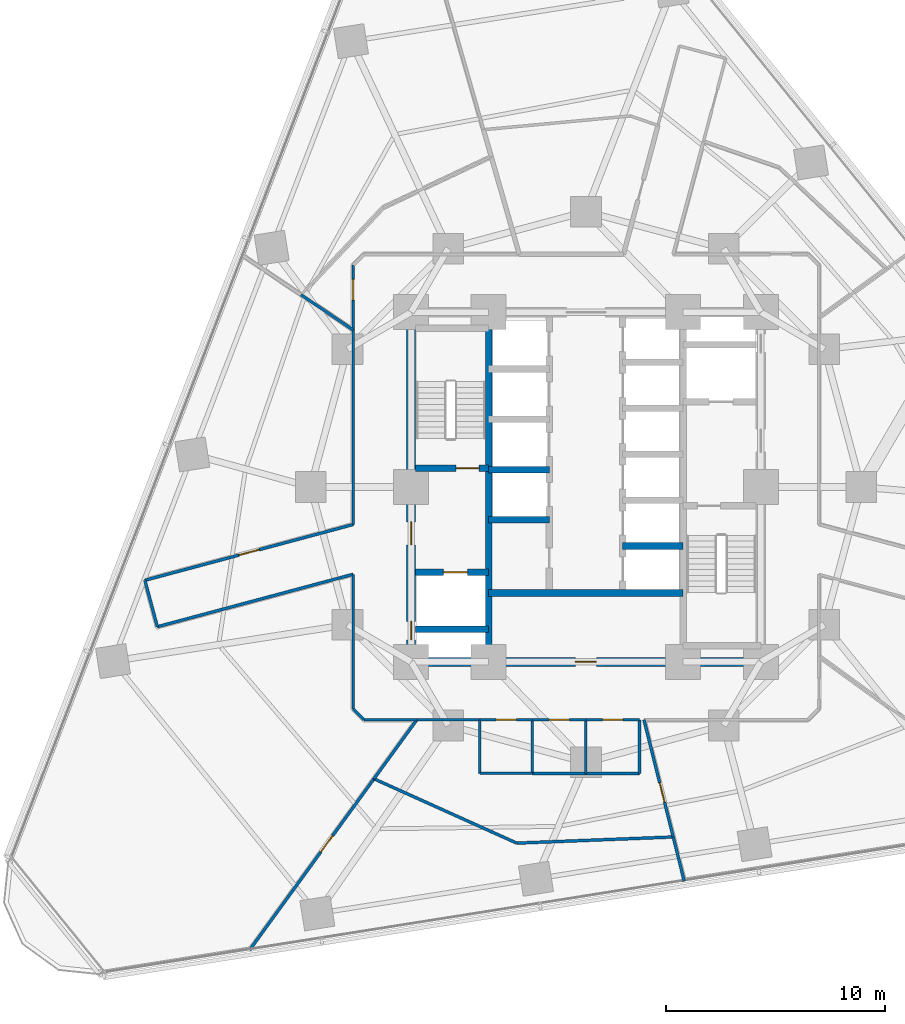
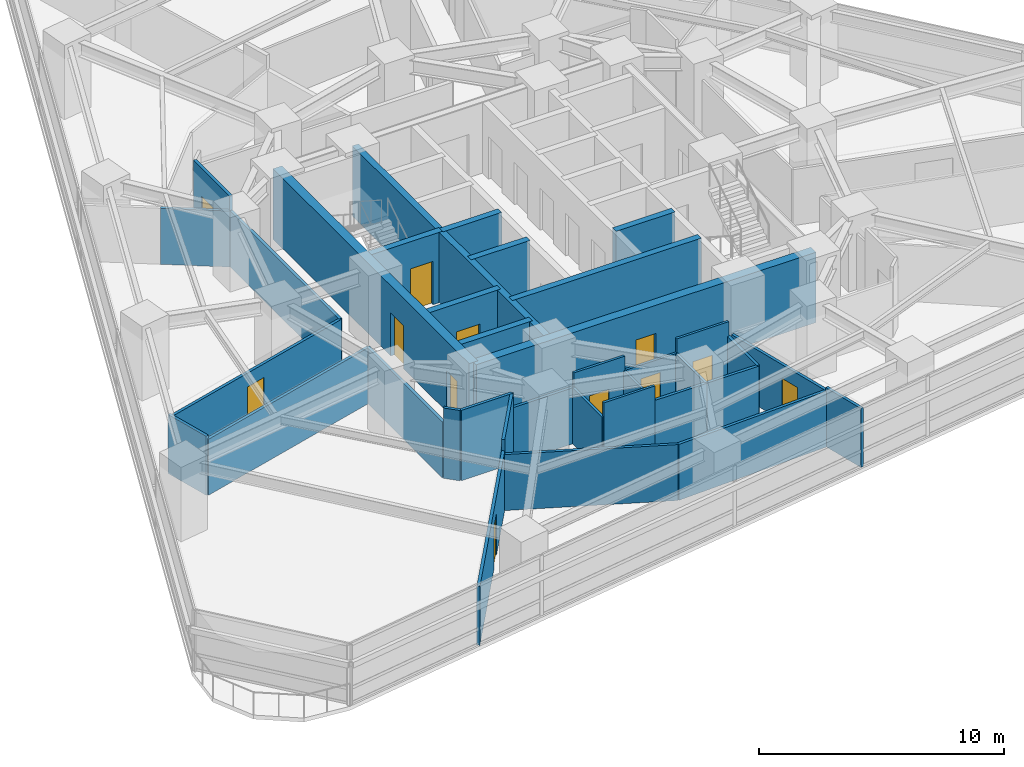
# One storey, part 7 of 13: 36 walls, 12 doors, 12 openings.
"""IFC4 building model written with IfcOpenShell, lengths in metres."""

from ifc_helpers import new_model, si_unit, direction, frame, frame_2d, origin, place, context, subcontext, project, spatial, rectangle, extrude, material, layer, layer_set, type_object, element, fill, save


model = new_model("IFC4")

# Units and contexts
model_context = context("Model", 3, precision=1e-05, world=origin(), true_north=direction((0.0, 1.0)))
body_context = subcontext(model_context, "Body", "Model", "MODEL_VIEW")
ifc_project = project(units=[si_unit("LENGTHUNIT", "METRE"), si_unit("AREAUNIT", "SQUARE_METRE"), si_unit("VOLUMEUNIT", "CUBIC_METRE"), si_unit("PLANEANGLEUNIT", "RADIAN"), si_unit("MASSUNIT", "GRAM", prefix="KILO")], contexts=[model_context])

# Site, building, storey
site_placement = place(None, origin())
site = spatial("IfcSite", under=ifc_project, at=site_placement, CompositionType="ELEMENT")
building_placement = place(site_placement, origin())
building = spatial("IfcBuilding", under=site, at=building_placement, Name="Terralouvre Media Tower", CompositionType="ELEMENT")
storey_placement = place(building_placement, frame((0.0, 0.0, 59.300048828125)))
storey = spatial("IfcBuildingStorey", under=building, at=storey_placement, Name="L14", CompositionType="ELEMENT", Elevation=59.300048828125)

# Wall
ifc_material_1 = material(Name="Concrete C50/60", Category="concrete")
ifc_layer_1 = layer(ifc_material_1, 0.300048828125, Name="Core Internal Shaft Wall CW-300")
ifc_layer_set_1 = layer_set([ifc_layer_1], Name="Concrete C50/60")
wall_type_1 = type_object("IfcWallType", Name="Core Internal Shaft Wall CW-300", PredefinedType="SHEAR", material=ifc_layer_set_1)
wall_1_placement = place(storey_placement, frame((-4.449951171875, -7.7900390625, 0.0), z_axis=(0.0, 0.0, 1.0), x_axis=(0.0, 1.0, 0.0)))
element("IfcWall", 1, at=wall_1_placement, inside=storey, type_object=wall_type_1, Name="L14 Core Shaft Wall SPW", PredefinedType="SHEAR", context=body_context, shape_type="SweptSolid", body=[
    extrude(rectangle(XDim=15.580078125, YDim=0.300048828125, at=frame_2d((7.7900390625, 0.0))), origin(), (0.0, 0.0, 1.0), 3.5),
])

# Wall, opening, door
wall_2_placement = place(storey_placement, frame((-7.7900390625, 0.85009765625, 0.0), z_axis=(0.0, 0.0, 1.0), x_axis=(1.0, 0.0, 0.0)))
wall_2 = element("IfcWall", 2, at=wall_2_placement, inside=storey, type_object=wall_type_1, Name="L14 Core Shaft Wall ST1D", PredefinedType="SHEAR", context=body_context, shape_type="SweptSolid", body=[
    extrude(rectangle(XDim=3.340087890625, YDim=0.300048828125, at=frame_2d((1.669921875, 0.0))), origin(), (0.0, 0.0, 1.0), 3.5),
])
opening_1_placement = place(wall_2_placement, frame((1.85009765625, 0.0, 0.0)))
opening_1 = element("IfcOpeningElement", 3, at=opening_1_placement, cuts=wall_2, Name="Opening FD-01-105X215", PredefinedType="OPENING", context=body_context, shape_type="SweptSolid", body=[
    extrude(rectangle(XDim=1.050048828125, YDim=2.14990234375, at=frame_2d((0.52490234375, 1.074951171875))), frame((0.0, 0.159912109375, 0.0), z_axis=(0.0, -1.0, 0.0), x_axis=(1.0, 0.0, 0.0)), (0.0, 0.0, 1.0), 0.320068359375),
])
ifc_material_2 = material(Name="Galvanised steel fire-resisting leaf", Category="steel")
door_type_1 = type_object("IfcDoorType", Name="Stair and Firefighting Lobby Fire Door FD-01 (1050x2150)", OperationType="NOTDEFINED", PredefinedType="DOOR", material=ifc_material_2)
door_1_placement = place(opening_1_placement, origin())
door_1 = element("IfcDoor", 4, at=door_1_placement, inside=storey, type_object=door_type_1, Name="L14 ST-01 Exit Stair Door", OperationType="SINGLE_SWING_LEFT", OverallHeight=2.14990234375, OverallWidth=1.050048828125, PredefinedType="DOOR", context=body_context, shape_type="SweptSolid", body=[
    extrude(rectangle(XDim=1.050048828125, YDim=2.14990234375, at=frame_2d((0.52490234375, 1.074951171875))), frame((0.0, 0.02490234375, 0.0), z_axis=(0.0, -1.0, 0.0), x_axis=(1.0, 0.0, 0.0)), (0.0, 0.0, 1.0), 0.050048828125),
])
fill(opening_1, door_1)

wall_3_placement = place(storey_placement, frame((-7.7900390625, -3.89990234375, 0.0), z_axis=(0.0, 0.0, 1.0), x_axis=(1.0, 0.0, 0.0)))
wall_3 = element("IfcWall", 5, at=wall_3_placement, inside=storey, type_object=wall_type_1, Name="L14 Core Shaft Wall FF1N", PredefinedType="SHEAR", context=body_context, shape_type="SweptSolid", body=[
    extrude(rectangle(XDim=3.340087890625, YDim=0.300048828125, at=frame_2d((1.669921875, 0.0))), origin(), (0.0, 0.0, 1.0), 3.5),
])
opening_2_placement = place(wall_3_placement, frame((1.27001953125, 0.0, 0.0)))
opening_2 = element("IfcOpeningElement", 6, at=opening_2_placement, cuts=wall_3, Name="Opening LD-FF", PredefinedType="OPENING", context=body_context, shape_type="SweptSolid", body=[
    extrude(rectangle(XDim=1.10009765625, YDim=2.10009765625, at=frame_2d((0.550048828125, 1.050048828125))), frame((0.0, 0.159912109375, 0.0), z_axis=(0.0, -1.0, 0.0), x_axis=(1.0, 0.0, 0.0)), (0.0, 0.0, 1.0), 0.320068359375),
])
ifc_material_3 = material(Name="Stainless steel 316 handrail and balustrade", Category="steel")
door_type_2 = type_object("IfcDoorType", Name="Firefighting Lift Sliding Landing Door LD-FF", OperationType="SLIDING_TO_LEFT", PredefinedType="DOOR", material=ifc_material_3)
door_2_placement = place(opening_2_placement, origin())
door_2 = element("IfcDoor", 7, at=door_2_placement, inside=storey, type_object=door_type_2, Name="L14 Firefighting Lift FFL-01 Landing Door", OperationType="SLIDING_TO_LEFT", OverallHeight=2.10009765625, OverallWidth=1.10009765625, PredefinedType="DOOR", context=body_context, shape_type="SweptSolid", body=[
    extrude(rectangle(XDim=1.10009765625, YDim=2.10009765625, at=frame_2d((0.550048828125, 1.050048828125))), frame((0.0, 0.02490234375, 0.0), z_axis=(0.0, -1.0, 0.0), x_axis=(1.0, 0.0, 0.0)), (0.0, 0.0, 1.0), 0.050048828125),
])
fill(opening_2, door_2)

# Walls
wall_4_placement = place(storey_placement, frame((-7.7900390625, -6.5, 0.0), z_axis=(0.0, 0.0, 1.0), x_axis=(1.0, 0.0, 0.0)))
element("IfcWall", 8, at=wall_4_placement, inside=storey, type_object=wall_type_1, Name="L14 Core Shaft Wall FF1S", PredefinedType="SHEAR", context=body_context, shape_type="SweptSolid", body=[
    extrude(rectangle(XDim=3.340087890625, YDim=0.300048828125, at=frame_2d((1.669921875, 0.0))), origin(), (0.0, 0.0, 1.0), 3.5),
])
wall_5_placement = place(storey_placement, frame((-4.449951171875, -4.85009765625, 0.0), z_axis=(0.0, 0.0, 1.0), x_axis=(1.0, 0.0, 0.0)))
element("IfcWall", 9, at=wall_5_placement, inside=storey, type_object=wall_type_1, Name="L14 Core Shaft Wall CSBN", PredefinedType="SHEAR", context=body_context, shape_type="SweptSolid", body=[
    extrude(rectangle(XDim=8.89990234375, YDim=0.300048828125, at=frame_2d((4.449951171875, 0.0))), origin(), (0.0, 0.0, 1.0), 3.5),
])
for number, where, z_axis, x_axis, name in (
    (10, (-4.449951171875, -1.5, 0.0), (0.0, 0.0, 1.0), (1.0, 0.0, 0.0), "L14 Core Shaft Wall PLLD0"),
    (11, (-4.449951171875, 0.800048828125, 0.0), (0.0, 0.0, 1.0), (1.0, 0.0, 0.0), "L14 Core Shaft Wall PLLD1"),
    (12, (1.679931640625, -2.699951171875, 0.0), (0.0, 0.0, 1.0), (1.0, 0.0, 0.0), "L14 Core Shaft Wall PLHD1"),
):
    element("IfcWall", number, at=place(storey_placement, frame(where, z_axis=z_axis, x_axis=x_axis)), inside=storey, type_object=wall_type_1, Name=name, PredefinedType="SHEAR", context=body_context, shape_type="SweptSolid", body=[
        extrude(rectangle(XDim=2.77001953125, YDim=0.300048828125, at=frame_2d((1.385009765625, 0.0))), origin(), (0.0, 0.0, 1.0), 3.5),
    ])

# Wall, openings, doors
ifc_material_4 = material(Name="Concrete C60/75", Category="concrete")
ifc_layer_2 = layer(ifc_material_4, 0.419921875, Name="Core Reinforced Concrete Shear Wall CW-420")
ifc_layer_set_2 = layer_set([ifc_layer_2], Name="Concrete C60/75")
wall_type_2 = type_object("IfcWallType", Name="Core Reinforced Concrete Shear Wall CW-420", PredefinedType="SHEAR", material=ifc_layer_set_2)
wall_6_placement = place(storey_placement, frame((-8.0, -8.0, 0.0), z_axis=(0.0, 0.0, 1.0), x_axis=(0.0, 1.0, 0.0)))
wall_6 = element("IfcWall", 13, at=wall_6_placement, inside=storey, type_object=wall_type_2, Name="L14 W Core Shear Wall", PredefinedType="SHEAR", context=body_context, shape_type="SweptSolid", body=[
    extrude(rectangle(XDim=16.0, YDim=0.419921875, at=frame_2d((8.0, 0.0))), origin(), (0.0, 0.0, 1.0), 3.5),
])
opening_3_placement = place(wall_6_placement, frame((1.001708984375, 0.0, 0.0)))
opening_3 = element("IfcOpeningElement", 14, at=opening_3_placement, cuts=wall_6, Name="Opening TD-R1", PredefinedType="OPENING", context=body_context, shape_type="SweptSolid", body=[
    extrude(rectangle(XDim=0.85009765625, YDim=2.02001953125, at=frame_2d((0.425048828125, 1.010009765625))), frame((0.0, 0.219970703125, 0.0), z_axis=(0.0, -1.0, 0.0), x_axis=(1.0, 0.0, 0.0)), (0.0, 0.0, 1.0), 0.43994140625),
])
opening_4_placement = place(wall_6_placement, frame((5.35009765625, 0.0, 0.0)))
opening_4 = element("IfcOpeningElement", 15, at=opening_4_placement, cuts=wall_6, Name="Opening FD-01-105X215", PredefinedType="OPENING", context=body_context, shape_type="SweptSolid", body=[
    extrude(rectangle(XDim=1.050048828125, YDim=2.14990234375, at=frame_2d((0.52490234375, 1.074951171875))), frame((0.0, 0.219970703125, 0.0), z_axis=(0.0, -1.0, 0.0), x_axis=(1.0, 0.0, 0.0)), (0.0, 0.0, 1.0), 0.43994140625),
])
ifc_material_5 = material(Name="Galvanised steel fire-resisting leaf", Category="steel")
door_type_3 = type_object("IfcDoorType", Name="Riser Inspection Access Trapdoor TD-R1", OperationType="NOTDEFINED", PredefinedType="TRAPDOOR", material=ifc_material_5)
door_3_placement = place(opening_3_placement, origin())
door_3 = element("IfcDoor", 16, at=door_3_placement, inside=storey, type_object=door_type_3, Name="L14 Wet Riser Access Trapdoor", OperationType="SINGLE_SWING_LEFT", OverallHeight=2.02001953125, OverallWidth=0.85009765625, PredefinedType="TRAPDOOR", context=body_context, shape_type="SweptSolid", body=[
    extrude(rectangle(XDim=0.85009765625, YDim=2.02001953125, at=frame_2d((0.425048828125, 1.010009765625))), frame((0.0, 0.02490234375, 0.0), z_axis=(0.0, -1.0, 0.0), x_axis=(1.0, 0.0, 0.0)), (0.0, 0.0, 1.0), 0.050048828125),
])
fill(opening_3, door_3)
door_4_placement = place(opening_4_placement, origin())
door_4 = element("IfcDoor", 17, at=door_4_placement, inside=storey, type_object=door_type_1, Name="L14 West Firefighting Lobby Entry Door", OperationType="SINGLE_SWING_RIGHT", OverallHeight=2.14990234375, OverallWidth=1.050048828125, PredefinedType="DOOR", context=body_context, shape_type="SweptSolid", body=[
    extrude(rectangle(XDim=1.050048828125, YDim=2.14990234375, at=frame_2d((0.52490234375, 1.074951171875))), frame((0.0, 0.02490234375, 0.0), z_axis=(0.0, -1.0, 0.0), x_axis=(1.0, 0.0, 0.0)), (0.0, 0.0, 1.0), 0.050048828125),
])
fill(opening_4, door_4)

# Wall, opening, door
wall_7_placement = place(storey_placement, frame((-8.0, -8.0, 0.0), z_axis=(0.0, 0.0, 1.0), x_axis=(1.0, 0.0, 0.0)))
wall_7 = element("IfcWall", 18, at=wall_7_placement, inside=storey, type_object=wall_type_2, Name="L14 S Core Shear Wall", PredefinedType="SHEAR", context=body_context, shape_type="SweptSolid", body=[
    extrude(rectangle(XDim=16.0, YDim=0.419921875, at=frame_2d((8.0, 0.0))), origin(), (0.0, 0.0, 1.0), 3.5),
])
opening_5_placement = place(wall_7_placement, frame((7.52001953125, 0.0, 0.0)))
opening_5 = element("IfcOpeningElement", 19, at=opening_5_placement, cuts=wall_7, Name="Opening FD-02-95X210", PredefinedType="OPENING", context=body_context, shape_type="SweptSolid", body=[
    extrude(rectangle(XDim=0.949951171875, YDim=2.10009765625, at=frame_2d((0.47509765625, 1.050048828125))), frame((0.0, 0.219970703125, 0.0), z_axis=(0.0, -1.0, 0.0), x_axis=(1.0, 0.0, 0.0)), (0.0, 0.0, 1.0), 0.43994140625),
])
ifc_material_6 = material(Name="Galvanised steel fire-resisting leaf", Category="steel")
door_type_4 = type_object("IfcDoorType", Name="Plant and Riser Fire Door FD-02 (950x2100)", OperationType="NOTDEFINED", PredefinedType="DOOR", material=ifc_material_6)
door_5_placement = place(opening_5_placement, origin())
door_5 = element("IfcDoor", 20, at=door_5_placement, inside=storey, type_object=door_type_4, Name="L14 Core Switchgear Plant Door", OperationType="SINGLE_SWING_LEFT", OverallHeight=2.10009765625, OverallWidth=0.949951171875, PredefinedType="DOOR", context=body_context, shape_type="SweptSolid", body=[
    extrude(rectangle(XDim=0.949951171875, YDim=2.10009765625, at=frame_2d((0.47509765625, 1.050048828125))), frame((0.0, 0.02490234375, 0.0), z_axis=(0.0, -1.0, 0.0), x_axis=(1.0, 0.0, 0.0)), (0.0, 0.0, 1.0), 0.050048828125),
])
fill(opening_5, door_5)

# Wall
ifc_material_7 = material(Name="Fire-rated gypsum board drywall partition")
ifc_layer_3 = layer(ifc_material_7, 0.135009765625, Name="Newsroom Acoustic Partition PT-135")
ifc_layer_set_3 = layer_set([ifc_layer_3], Name="Fire-rated gypsum board drywall partition")
wall_type_3 = type_object("IfcWallType", Name="Newsroom Acoustic Partition PT-135", PredefinedType="PARTITIONING", material=ifc_layer_set_3)
wall_8_placement = place(storey_placement, frame((-10.64990234375, 7.18408203125, 0.0), z_axis=(0.0, 0.0, 1.0), x_axis=(0.0, -1.0, 0.0)))
element("IfcWall", 21, at=wall_8_placement, inside=storey, type_object=wall_type_3, Name="L14 Interior Partition 006", PredefinedType="PARTITIONING", context=body_context, shape_type="SweptSolid", body=[
    extrude(rectangle(XDim=8.899169921875, YDim=0.135009765625, at=frame_2d((4.44970703125, 0.0))), origin(), (0.0, 0.0, 1.0), 2.784912109375),
])

# Wall, opening, door
wall_9_placement = place(storey_placement, frame((-10.64990234375, -1.715087890625, 0.0), z_axis=(0.0, 0.0, 1.0), x_axis=(-0.965937452198, -0.258775652721, 0.0)))
wall_9 = element("IfcWall", 22, at=wall_9_placement, inside=storey, type_object=wall_type_3, Name="L14 Interior Partition 007", PredefinedType="PARTITIONING", context=body_context, shape_type="SweptSolid", body=[
    extrude(rectangle(XDim=9.869384765625, YDim=0.135009765625, at=frame_2d((4.9345703125, 0.0))), origin(), (0.0, 0.0, 1.0), 2.784912109375),
])
opening_6_placement = place(wall_9_placement, frame((4.459716796875, 0.0, 0.0)))
opening_6 = element("IfcOpeningElement", 23, at=opening_6_placement, cuts=wall_9, Name="Opening ID-02-95X210", PredefinedType="OPENING", context=body_context, shape_type="SweptSolid", body=[
    extrude(rectangle(XDim=0.949951171875, YDim=2.10009765625, at=frame_2d((0.47509765625, 1.050048828125))), frame((0.0, 0.077392578125, 0.0), z_axis=(0.0, -1.0, 0.0), x_axis=(1.0, 0.0, 0.0)), (0.0, 0.0, 1.0), 0.155029296875),
])
ifc_material_8 = material(Name="Engineered hardwood acoustic timber leaf", Category="wood")
door_type_5 = type_object("IfcDoorType", Name="Office and Meeting Room Door ID-02 (950x2100)", OperationType="NOTDEFINED", PredefinedType="DOOR", material=ifc_material_8)
door_6_placement = place(opening_6_placement, origin())
door_6 = element("IfcDoor", 24, at=door_6_placement, inside=storey, type_object=door_type_5, Name="L14 Podcast Editing Creative Workshop 2 Door", OperationType="SINGLE_SWING_LEFT", OverallHeight=2.10009765625, OverallWidth=0.949951171875, PredefinedType="DOOR", context=body_context, shape_type="SweptSolid", body=[
    extrude(rectangle(XDim=0.949951171875, YDim=2.10009765625, at=frame_2d((0.47509765625, 1.050048828125))), frame((0.0, 0.02490234375, 0.0), z_axis=(0.0, -1.0, 0.0), x_axis=(1.0, 0.0, 0.0)), (0.0, 0.0, 1.0), 0.050048828125),
])
fill(opening_6, door_6)

# Walls
wall_10_placement = place(storey_placement, frame((-20.18310546875, -4.26904296875, 0.0), z_axis=(0.0, 0.0, 1.0), x_axis=(0.259105843213, -0.965848933329, 0.0)))
element("IfcWall", 25, at=wall_10_placement, inside=storey, type_object=wall_type_3, Name="L14 Interior Partition 008", PredefinedType="PARTITIONING", context=body_context, shape_type="SweptSolid", body=[
    extrude(rectangle(XDim=2.2001953125, YDim=0.135009765625, at=frame_2d((1.10009765625, 0.0))), origin(), (0.0, 0.0, 1.0), 2.93505859375),
])
wall_11_placement = place(storey_placement, frame((-19.613037109375, -6.39404296875, 0.0), z_axis=(0.0, 0.0, 1.0), x_axis=(0.96591410887, 0.258862771148, 0.0)))
element("IfcWall", 26, at=wall_11_placement, inside=storey, type_object=wall_type_3, Name="L14 Interior Partition 009", PredefinedType="PARTITIONING", context=body_context, shape_type="SweptSolid", body=[
    extrude(rectangle(XDim=9.279541015625, YDim=0.135009765625, at=frame_2d((4.6396484375, 0.0))), origin(), (0.0, 0.0, 1.0), 2.784912109375),
])
wall_12_placement = place(storey_placement, frame((-10.64990234375, -3.991943359375, 0.0), z_axis=(0.0, 0.0, 1.0), x_axis=(0.0, -1.0, 0.0)))
element("IfcWall", 27, at=wall_12_placement, inside=storey, type_object=wall_type_3, Name="L14 Interior Partition 010", PredefinedType="PARTITIONING", context=body_context, shape_type="SweptSolid", body=[
    extrude(rectangle(XDim=6.157958984375, YDim=0.135009765625, at=frame_2d((3.0791015625, 0.0))), origin(), (0.0, 0.0, 1.0), 2.784912109375),
])
wall_13_placement = place(storey_placement, frame((-10.64990234375, -10.14990234375, 0.0), z_axis=(0.0, 0.0, 1.0), x_axis=(0.707106781187, -0.707106781187, 0.0)))
element("IfcWall", 28, at=wall_13_placement, inside=storey, type_object=wall_type_3, Name="L14 Interior Partition 011", PredefinedType="PARTITIONING", context=body_context, shape_type="SweptSolid", body=[
    extrude(rectangle(XDim=0.70703125, YDim=0.135009765625, at=frame_2d((0.353515625, 0.0))), origin(), (0.0, 0.0, 1.0), 3.5),
])
wall_14_placement = place(storey_placement, frame((-10.14990234375, -10.64990234375, 0.0), z_axis=(0.0, 0.0, 1.0), x_axis=(1.0, 0.0, 0.0)))
element("IfcWall", 29, at=wall_14_placement, inside=storey, type_object=wall_type_3, Name="L14 Interior Partition 012", PredefinedType="PARTITIONING", context=body_context, shape_type="SweptSolid", body=[
    extrude(rectangle(XDim=2.411865234375, YDim=0.135009765625, at=frame_2d((1.2060546875, 0.0))), origin(), (0.0, 0.0, 1.0), 3.5),
])
wall_15_placement = place(storey_placement, frame((-7.738037109375, -10.64990234375, 0.0), z_axis=(0.0, 0.0, 1.0), x_axis=(1.0, 0.0, 0.0)))
element("IfcWall", 30, at=wall_15_placement, inside=storey, type_object=wall_type_3, Name="L14 Interior Partition 023", PredefinedType="PARTITIONING", context=body_context, shape_type="SweptSolid", body=[
    extrude(rectangle(XDim=2.887939453125, YDim=0.135009765625, at=frame_2d((1.44384765625, 0.0))), origin(), (0.0, 0.0, 1.0), 2.784912109375),
])

# Wall, opening, door
wall_16_placement = place(storey_placement, frame((-10.64990234375, 10.14990234375, 0.0), z_axis=(0.0, 0.0, 1.0), x_axis=(0.0, -1.0, 0.0)))
wall_16 = element("IfcWall", 31, at=wall_16_placement, inside=storey, type_object=wall_type_3, Name="L14 Interior Partition 031", PredefinedType="PARTITIONING", context=body_context, shape_type="SweptSolid", body=[
    extrude(rectangle(XDim=2.9658203125, YDim=0.135009765625, at=frame_2d((1.48291015625, 0.0))), origin(), (0.0, 0.0, 1.0), 3.5),
])
opening_7_placement = place(wall_16_placement, frame((0.652099609375, 0.0, 0.0)))
opening_7 = element("IfcOpeningElement", 32, at=opening_7_placement, cuts=wall_16, Name="Opening ID-02-95X210", PredefinedType="OPENING", context=body_context, shape_type="SweptSolid", body=[
    extrude(rectangle(XDim=0.949951171875, YDim=2.10009765625, at=frame_2d((0.47509765625, 1.050048828125))), frame((0.0, 0.077392578125, 0.0), z_axis=(0.0, -1.0, 0.0), x_axis=(1.0, 0.0, 0.0)), (0.0, 0.0, 1.0), 0.155029296875),
])
door_7_placement = place(opening_7_placement, origin())
door_7 = element("IfcDoor", 33, at=door_7_placement, inside=storey, type_object=door_type_5, Name="L14 QA Testing Workspace 10 Door", OperationType="SINGLE_SWING_LEFT", OverallHeight=2.10009765625, OverallWidth=0.949951171875, PredefinedType="DOOR", context=body_context, shape_type="SweptSolid", body=[
    extrude(rectangle(XDim=0.949951171875, YDim=2.10009765625, at=frame_2d((0.47509765625, 1.050048828125))), frame((0.0, 0.02490234375, 0.0), z_axis=(0.0, -1.0, 0.0), x_axis=(1.0, 0.0, 0.0)), (0.0, 0.0, 1.0), 0.050048828125),
])
fill(opening_7, door_7)

wall_17_placement = place(storey_placement, frame((-15.392822265625, -21.187255859375, 0.0), z_axis=(0.0, 0.0, 1.0), x_axis=(0.587736917223, 0.809052109653, 0.0)))
wall_17 = element("IfcWall", 34, at=wall_17_placement, inside=storey, type_object=wall_type_3, Name="L14 Interior Partition 035", PredefinedType="PARTITIONING", context=body_context, shape_type="SweptSolid", body=[
    extrude(rectangle(XDim=9.684326171875, YDim=0.135009765625, at=frame_2d((4.84228515625, 0.0))), origin(), (0.0, 0.0, 1.0), 2.93505859375),
])
opening_8_placement = place(wall_17_placement, frame((5.54443359375, 0.0, 0.0)))
opening_8 = element("IfcOpeningElement", 35, at=opening_8_placement, cuts=wall_17, Name="Opening ID-03-92X210", PredefinedType="OPENING", context=body_context, shape_type="SweptSolid", body=[
    extrude(rectangle(XDim=0.919921875, YDim=2.10009765625, at=frame_2d((0.4599609375, 1.050048828125))), frame((0.0, 0.077392578125, 0.0), z_axis=(0.0, -1.0, 0.0), x_axis=(1.0, 0.0, 0.0)), (0.0, 0.0, 1.0), 0.155029296875),
])
ifc_material_9 = material(Name="Engineered hardwood acoustic timber leaf", Category="wood")
door_type_6 = type_object("IfcDoorType", Name="Accessible Restroom and Suite Door ID-03 (920x2100)", OperationType="NOTDEFINED", PredefinedType="DOOR", material=ifc_material_9)
door_8_placement = place(opening_8_placement, origin())
door_8 = element("IfcDoor", 36, at=door_8_placement, inside=storey, type_object=door_type_6, Name="L14 Hardware Prototype Storage 6 Door", OperationType="SINGLE_SWING_RIGHT", OverallHeight=2.10009765625, OverallWidth=0.919921875, PredefinedType="DOOR", context=body_context, shape_type="SweptSolid", body=[
    extrude(rectangle(XDim=0.919921875, YDim=2.10009765625, at=frame_2d((0.4599609375, 1.050048828125))), frame((0.0, 0.02490234375, 0.0), z_axis=(0.0, -1.0, 0.0), x_axis=(1.0, 0.0, 0.0)), (0.0, 0.0, 1.0), 0.050048828125),
])
fill(opening_8, door_8)

# Walls
wall_18_placement = place(storey_placement, frame((-9.700927734375, -13.35205078125, 0.0), z_axis=(0.0, 0.0, 1.0), x_axis=(0.587719574609, 0.809064707932, 0.0)))
element("IfcWall", 37, at=wall_18_placement, inside=storey, type_object=wall_type_3, Name="L14 Interior Partition 036", PredefinedType="PARTITIONING", context=body_context, shape_type="SweptSolid", body=[
    extrude(rectangle(XDim=3.33984375, YDim=0.135009765625, at=frame_2d((1.669921875, 0.0))), origin(), (0.0, 0.0, 1.0), 3.5),
])
wall_19_placement = place(storey_placement, frame((-10.64990234375, 7.18408203125, 0.0), z_axis=(0.0, 0.0, 1.0), x_axis=(-0.829039234985, 0.559190438809, 0.0)))
element("IfcWall", 38, at=wall_19_placement, inside=storey, type_object=wall_type_3, Name="L14 Interior Partition 038", PredefinedType="PARTITIONING", context=body_context, shape_type="SweptSolid", body=[
    extrude(rectangle(XDim=2.880615234375, YDim=0.135009765625, at=frame_2d((1.4404296875, 0.0))), origin(), (0.0, 0.0, 1.0), 2.784912109375),
])
wall_20_placement = place(storey_placement, frame((3.992919921875, -16.013916015625, 0.0), z_axis=(0.0, 0.0, 1.0), x_axis=(-0.999230720769, -0.039216918185, 0.0)))
element("IfcWall", 39, at=wall_20_placement, inside=storey, type_object=wall_type_3, Name="L14 Interior Partition 046", PredefinedType="PARTITIONING", context=body_context, shape_type="SweptSolid", body=[
    extrude(rectangle(XDim=7.16552734375, YDim=0.135009765625, at=frame_2d((3.582763671875, 0.0))), origin(), (0.0, 0.0, 1.0), 2.784912109375),
])
wall_21_placement = place(storey_placement, frame((-3.1669921875, -16.294921875, 0.0), z_axis=(0.0, 0.0, 1.0), x_axis=(-0.911785675506, 0.410666387645, 0.0)))
element("IfcWall", 40, at=wall_21_placement, inside=storey, type_object=wall_type_3, Name="L14 Interior Partition 047", PredefinedType="PARTITIONING", context=body_context, shape_type="SweptSolid", body=[
    extrude(rectangle(XDim=7.166015625, YDim=0.135009765625, at=frame_2d((3.5830078125, 0.0))), origin(), (0.0, 0.0, 1.0), 2.784912109375),
])
wall_22_placement = place(storey_placement, frame((4.49658203125, -18.037109375, 0.0), z_axis=(0.0, 0.0, 1.0), x_axis=(-0.24157117672, 0.970383102995, 0.0)))
element("IfcWall", 41, at=wall_22_placement, inside=storey, type_object=wall_type_3, Name="L14 Interior Partition 048", PredefinedType="PARTITIONING", context=body_context, shape_type="SweptSolid", body=[
    extrude(rectangle(XDim=2.0849609375, YDim=0.135009765625, at=frame_2d((1.04248046875, 0.0))), origin(), (0.0, 0.0, 1.0), 2.93505859375),
])
wall_23_placement = place(storey_placement, frame((0.0, -13.10009765625, 0.0), z_axis=(0.0, 0.0, 1.0), x_axis=(-1.0, 0.0, 0.0)))
element("IfcWall", 42, at=wall_23_placement, inside=storey, type_object=wall_type_3, Name="L14 Interior Partition 052", PredefinedType="PARTITIONING", context=body_context, shape_type="SweptSolid", body=[
    extrude(rectangle(XDim=2.449951171875, YDim=0.135009765625, at=frame_2d((1.22509765625, 0.0))), origin(), (0.0, 0.0, 1.0), 2.784912109375),
])
wall_24_placement = place(storey_placement, frame((2.449951171875, -10.64990234375, 0.0), z_axis=(0.0, 0.0, 1.0), x_axis=(0.0, -1.0, 0.0)))
element("IfcWall", 43, at=wall_24_placement, inside=storey, type_object=wall_type_3, Name="L14 Interior Partition 053", PredefinedType="PARTITIONING", context=body_context, shape_type="SweptSolid", body=[
    extrude(rectangle(XDim=2.4501953125, YDim=0.135009765625, at=frame_2d((1.22509765625, 0.0))), origin(), (0.0, 0.0, 1.0), 2.784912109375),
])
wall_25_placement = place(storey_placement, frame((2.449951171875, -13.10009765625, 0.0), z_axis=(0.0, 0.0, 1.0), x_axis=(-1.0, 0.0, 0.0)))
element("IfcWall", 44, at=wall_25_placement, inside=storey, type_object=wall_type_3, Name="L14 Interior Partition 054", PredefinedType="PARTITIONING", context=body_context, shape_type="SweptSolid", body=[
    extrude(rectangle(XDim=2.449951171875, YDim=0.135009765625, at=frame_2d((1.22509765625, 0.0))), origin(), (0.0, 0.0, 1.0), 2.784912109375),
])

# Wall, opening, door
wall_26_placement = place(storey_placement, frame((3.992919921875, -16.013916015625, 0.0), z_axis=(0.0, 0.0, 1.0), x_axis=(-0.242005649473, 0.97027484025, 0.0)))
wall_26 = element("IfcWall", 45, at=wall_26_placement, inside=storey, type_object=wall_type_3, Name="L14 Interior Partition 055", PredefinedType="PARTITIONING", context=body_context, shape_type="SweptSolid", body=[
    extrude(rectangle(XDim=5.5283203125, YDim=0.135009765625, at=frame_2d((2.76416015625, 0.0))), origin(), (0.0, 0.0, 1.0), 2.784912109375),
])
opening_9_placement = place(wall_26_placement, frame((1.640869140625, 0.0, 0.0)))
opening_9 = element("IfcOpeningElement", 46, at=opening_9_placement, cuts=wall_26, Name="Opening ID-03-92X210", PredefinedType="OPENING", context=body_context, shape_type="SweptSolid", body=[
    extrude(rectangle(XDim=0.919921875, YDim=2.10009765625, at=frame_2d((0.4599609375, 1.050048828125))), frame((0.0, 0.077392578125, 0.0), z_axis=(0.0, -1.0, 0.0), x_axis=(1.0, 0.0, 0.0)), (0.0, 0.0, 1.0), 0.155029296875),
])
door_9_placement = place(opening_9_placement, origin())
door_9 = element("IfcDoor", 47, at=door_9_placement, inside=storey, type_object=door_type_6, Name="L14 Developer Rest Lounge 7 Door", OperationType="SINGLE_SWING_LEFT", OverallHeight=2.10009765625, OverallWidth=0.919921875, PredefinedType="DOOR", context=body_context, shape_type="SweptSolid", body=[
    extrude(rectangle(XDim=0.919921875, YDim=2.10009765625, at=frame_2d((0.4599609375, 1.050048828125))), frame((0.0, 0.02490234375, 0.0), z_axis=(0.0, -1.0, 0.0), x_axis=(1.0, 0.0, 0.0)), (0.0, 0.0, 1.0), 0.050048828125),
])
fill(opening_9, door_9)

ifc_material_10 = material(Name="Fire-rated gypsum board drywall partition")
ifc_layer_4 = layer(ifc_material_10, 0.114990234375, Name="Restroom and Pantry Partition PT-115")
ifc_layer_set_4 = layer_set([ifc_layer_4], Name="Fire-rated gypsum board drywall partition")
wall_type_4 = type_object("IfcWallType", Name="Restroom and Pantry Partition PT-115", PredefinedType="PARTITIONING", material=ifc_layer_set_4)
wall_27_placement = place(storey_placement, frame((-4.85009765625, -10.64990234375, 0.0), z_axis=(0.0, 0.0, 1.0), x_axis=(1.0, 0.0, 0.0)))
wall_27 = element("IfcWall", 48, at=wall_27_placement, inside=storey, type_object=wall_type_4, Name="L14 Interior Partition 022", PredefinedType="PARTITIONING", context=body_context, shape_type="SweptSolid", body=[
    extrude(rectangle(XDim=2.400146484375, YDim=0.114990234375, at=frame_2d((1.2001953125, 0.0))), origin(), (0.0, 0.0, 1.0), 3.5),
])
opening_10_placement = place(wall_27_placement, frame((0.739990234375, 0.0, 0.0)))
opening_10 = element("IfcOpeningElement", 49, at=opening_10_placement, cuts=wall_27, Name="Opening ID-03-92X210", PredefinedType="OPENING", context=body_context, shape_type="SweptSolid", body=[
    extrude(rectangle(XDim=0.919921875, YDim=2.10009765625, at=frame_2d((0.4599609375, 1.050048828125))), frame((0.0, 0.0673828125, 0.0), z_axis=(0.0, -1.0, 0.0), x_axis=(1.0, 0.0, 0.0)), (0.0, 0.0, 1.0), 0.135009765625),
])
door_10_placement = place(opening_10_placement, origin())
door_10 = element("IfcDoor", 50, at=door_10_placement, inside=storey, type_object=door_type_6, Name="L14 Male Restroom WC Door", OperationType="SINGLE_SWING_LEFT", OverallHeight=2.10009765625, OverallWidth=0.919921875, PredefinedType="DOOR", context=body_context, shape_type="SweptSolid", body=[
    extrude(rectangle(XDim=0.919921875, YDim=2.10009765625, at=frame_2d((0.4599609375, 1.050048828125))), frame((0.0, 0.02490234375, 0.0), z_axis=(0.0, -1.0, 0.0), x_axis=(1.0, 0.0, 0.0)), (0.0, 0.0, 1.0), 0.050048828125),
])
fill(opening_10, door_10)

wall_28_placement = place(storey_placement, frame((-2.449951171875, -10.64990234375, 0.0), z_axis=(0.0, 0.0, 1.0), x_axis=(1.0, 0.0, 0.0)))
wall_28 = element("IfcWall", 51, at=wall_28_placement, inside=storey, type_object=wall_type_4, Name="L14 Interior Partition 024", PredefinedType="PARTITIONING", context=body_context, shape_type="SweptSolid", body=[
    extrude(rectangle(XDim=2.449951171875, YDim=0.114990234375, at=frame_2d((1.22509765625, 0.0))), origin(), (0.0, 0.0, 1.0), 2.784912109375),
])
opening_11_placement = place(wall_28_placement, frame((0.764892578125, 0.0, 0.0)))
opening_11 = element("IfcOpeningElement", 52, at=opening_11_placement, cuts=wall_28, Name="Opening ID-03-92X210", PredefinedType="OPENING", context=body_context, shape_type="SweptSolid", body=[
    extrude(rectangle(XDim=0.919921875, YDim=2.10009765625, at=frame_2d((0.4599609375, 1.050048828125))), frame((0.0, 0.0673828125, 0.0), z_axis=(0.0, -1.0, 0.0), x_axis=(1.0, 0.0, 0.0)), (0.0, 0.0, 1.0), 0.135009765625),
])
door_11_placement = place(opening_11_placement, origin())
door_11 = element("IfcDoor", 53, at=door_11_placement, inside=storey, type_object=door_type_6, Name="L14 Female Restroom WC Door", OperationType="SINGLE_SWING_RIGHT", OverallHeight=2.10009765625, OverallWidth=0.919921875, PredefinedType="DOOR", context=body_context, shape_type="SweptSolid", body=[
    extrude(rectangle(XDim=0.919921875, YDim=2.10009765625, at=frame_2d((0.4599609375, 1.050048828125))), frame((0.0, 0.02490234375, 0.0), z_axis=(0.0, -1.0, 0.0), x_axis=(1.0, 0.0, 0.0)), (0.0, 0.0, 1.0), 0.050048828125),
])
fill(opening_11, door_11)

wall_29_placement = place(storey_placement, frame((0.0, -10.64990234375, 0.0), z_axis=(0.0, 0.0, 1.0), x_axis=(1.0, 0.0, 0.0)))
wall_29 = element("IfcWall", 54, at=wall_29_placement, inside=storey, type_object=wall_type_4, Name="L14 Interior Partition 025", PredefinedType="PARTITIONING", context=body_context, shape_type="SweptSolid", body=[
    extrude(rectangle(XDim=2.449951171875, YDim=0.114990234375, at=frame_2d((1.22509765625, 0.0))), origin(), (0.0, 0.0, 1.0), 3.5),
])
opening_12_placement = place(wall_29_placement, frame((0.764892578125, 0.0, 0.0)))
opening_12 = element("IfcOpeningElement", 55, at=opening_12_placement, cuts=wall_29, Name="Opening ID-03-92X210", PredefinedType="OPENING", context=body_context, shape_type="SweptSolid", body=[
    extrude(rectangle(XDim=0.919921875, YDim=2.10009765625, at=frame_2d((0.4599609375, 1.050048828125))), frame((0.0, 0.0673828125, 0.0), z_axis=(0.0, -1.0, 0.0), x_axis=(1.0, 0.0, 0.0)), (0.0, 0.0, 1.0), 0.135009765625),
])
door_12_placement = place(opening_12_placement, origin())
door_12 = element("IfcDoor", 56, at=door_12_placement, inside=storey, type_object=door_type_6, Name="L14 Accessible Unisex WC Door", OperationType="SINGLE_SWING_LEFT", OverallHeight=2.10009765625, OverallWidth=0.919921875, PredefinedType="DOOR", context=body_context, shape_type="SweptSolid", body=[
    extrude(rectangle(XDim=0.919921875, YDim=2.10009765625, at=frame_2d((0.4599609375, 1.050048828125))), frame((0.0, 0.02490234375, 0.0), z_axis=(0.0, -1.0, 0.0), x_axis=(1.0, 0.0, 0.0)), (0.0, 0.0, 1.0), 0.050048828125),
])
fill(opening_12, door_12)

# Walls
wall_30_placement = place(storey_placement, frame((-4.85009765625, -10.64990234375, 0.0), z_axis=(0.0, 0.0, 1.0), x_axis=(0.0, -1.0, 0.0)))
element("IfcWall", 57, at=wall_30_placement, inside=storey, type_object=wall_type_4, Name="L14 Interior Partition 049", PredefinedType="PARTITIONING", context=body_context, shape_type="SweptSolid", body=[
    extrude(rectangle(XDim=2.4501953125, YDim=0.114990234375, at=frame_2d((1.22509765625, 0.0))), origin(), (0.0, 0.0, 1.0), 2.784912109375),
])
wall_31_placement = place(storey_placement, frame((-4.85009765625, -13.10009765625, 0.0), z_axis=(0.0, 0.0, 1.0), x_axis=(1.0, 0.0, 0.0)))
element("IfcWall", 58, at=wall_31_placement, inside=storey, type_object=wall_type_4, Name="L14 Interior Partition 050", PredefinedType="PARTITIONING", context=body_context, shape_type="SweptSolid", body=[
    extrude(rectangle(XDim=2.400146484375, YDim=0.114990234375, at=frame_2d((1.2001953125, 0.0))), origin(), (0.0, 0.0, 1.0), 3.5),
])
for number, where, z_axis, x_axis, name in (
    (59, (-2.449951171875, -13.10009765625, 0.0), (0.0, 0.0, 1.0), (0.0, 1.0, 0.0), "L14 Interior Partition 051"),
    (60, (0.0, -13.10009765625, 0.0), (0.0, 0.0, 1.0), (0.0, 1.0, 0.0), "L14 Interior Partition 056"),
):
    element("IfcWall", number, at=place(storey_placement, frame(where, z_axis=z_axis, x_axis=x_axis)), inside=storey, type_object=wall_type_4, Name=name, PredefinedType="PARTITIONING", context=body_context, shape_type="SweptSolid", body=[
        extrude(rectangle(XDim=2.4501953125, YDim=0.114990234375, at=frame_2d((1.22509765625, 0.0))), origin(), (0.0, 0.0, 1.0), 2.784912109375),
    ])

save(model, "model.ifc")
